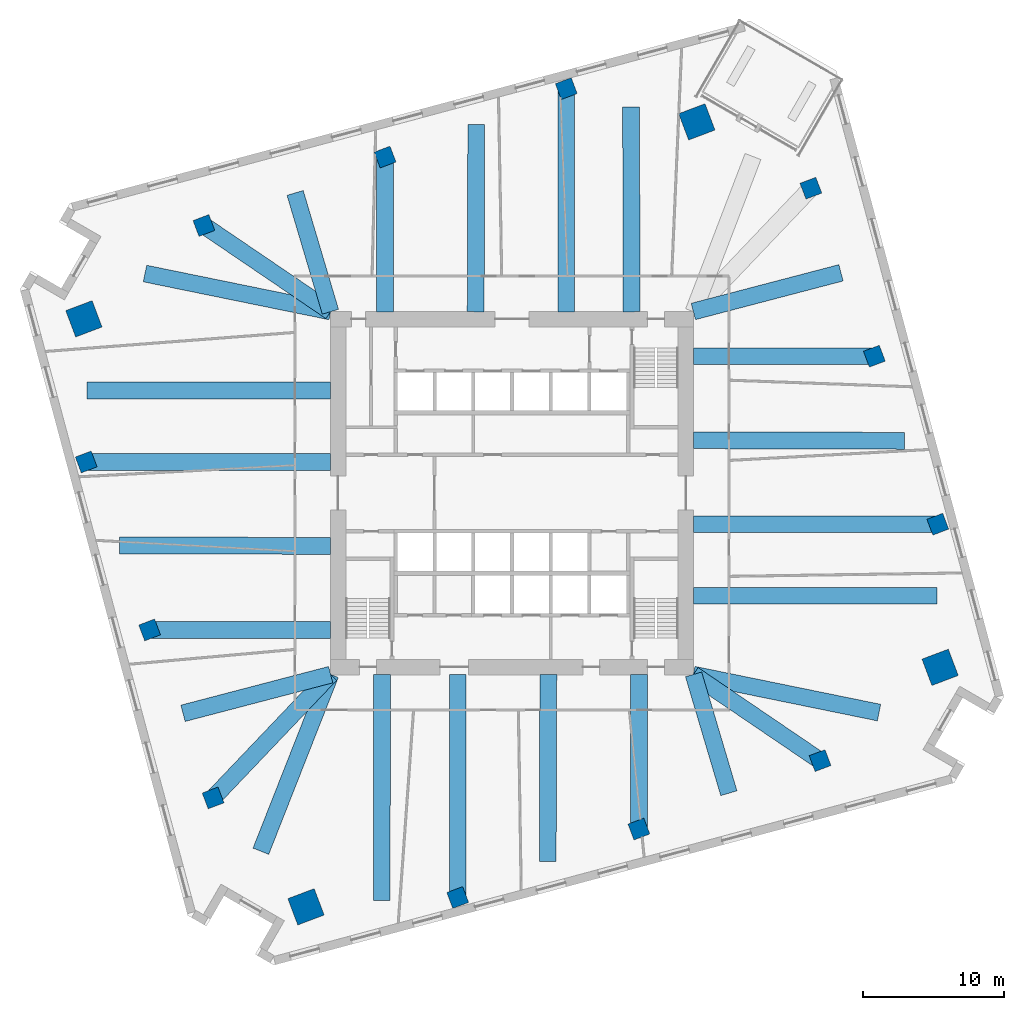
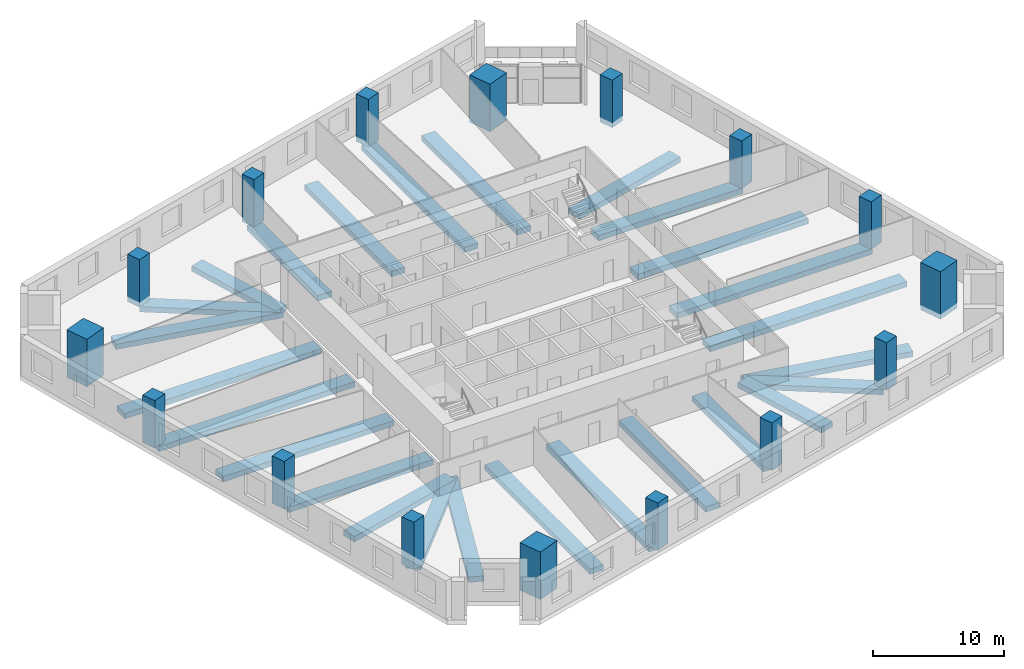
# One storey, part 1 of 11: 26 beams, 16 columns.
"""IFC4 building model written with IfcOpenShell, lengths in metres."""

import ifcopenshell
import ifcopenshell.guid

model = None  # the IFC model being written
_history = None  # IfcOwnerHistory: only IFC2X3 demands one
_inside = {}  # id of a spatial element -> (the spatial element, [elements in it])
_under = {}  # id of a project, library or spatial element -> (it, [spatial elements below it])
_declared = {}  # id of a project -> (the project, [libraries it declares])
_typed = {}  # id of a type object -> (the type object, [elements of that type])
_made_of = {}  # id of a material, layer set ... -> (it, [elements and type objects made of it])


def new_model(schema):
    """Start an empty IFC model of exactly this schema.

    Asked for "IFC4X3", IfcOpenShell would pick the latest addendum, in which some entities
    have other attributes; the version numbers below select the first issue.
    IFC2X3 requires an IfcOwnerHistory on every rooted entity: one is made here for all.
    """
    global model, _history
    if schema == "IFC4X3":
        model = ifcopenshell.file(schema_version=(4, 3, 0, 0))
    else:
        model = ifcopenshell.file(schema=schema)
    _inside.clear()
    _under.clear()
    _declared.clear()
    _typed.clear()
    _made_of.clear()
    _history = None
    if model.schema == "IFC2X3":
        org = make("IfcOrganization", Name="unknown")
        user = make(
            "IfcPersonAndOrganization",
            ThePerson=make("IfcPerson", FamilyName="unknown"),
            TheOrganization=org,
        )
        app = make(
            "IfcApplication",
            ApplicationDeveloper=org,
            Version="unknown",
            ApplicationFullName="unknown",
            ApplicationIdentifier="unknown",
        )
        _history = make(
            "IfcOwnerHistory",
            OwningUser=user,
            OwningApplication=app,
            ChangeAction="ADDED",
            CreationDate=0,
        )
    return model


def make(cls, **values):
    """One entity of the class cls with the attributes given. An attribute that is None is left unset."""
    return model.create_entity(
        cls, **{name: value for name, value in values.items() if value is not None}
    )


def rooted(cls, **values):
    """An entity with a GlobalId (a new one), such as an element, a storey or a relation."""
    return make(cls, GlobalId=ifcopenshell.guid.new(), OwnerHistory=_history, **values)


def si_unit(unit_type, name, prefix=None):
    """IfcSIUnit, for example si_unit("LENGTHUNIT", "METRE", prefix="MILLI")."""
    return make("IfcSIUnit", UnitType=unit_type, Prefix=prefix, Name=name)


def assignment(units):
    """IfcUnitAssignment: the units of a project."""
    return None if units is None else make("IfcUnitAssignment", Units=units)


def point(xyz):
    """IfcCartesianPoint."""
    return None if xyz is None else make("IfcCartesianPoint", Coordinates=xyz)


def direction(xyz):
    """IfcDirection."""
    return None if xyz is None else make("IfcDirection", DirectionRatios=xyz)


def frame(location, z_axis=None, x_axis=None):
    """IfcAxis2Placement3D, a coordinate frame: its origin and axes. An axis left out is left unset."""
    return make(
        "IfcAxis2Placement3D",
        Location=point(location),
        Axis=direction(z_axis),
        RefDirection=direction(x_axis),
    )


def frame_2d(location, x_axis=None):
    """IfcAxis2Placement2D, a coordinate frame in the plane: its origin and x axis."""
    return make(
        "IfcAxis2Placement2D", Location=point(location), RefDirection=direction(x_axis)
    )


def origin():
    """The frame at (0, 0, 0) with its axes left unset."""
    return frame((0.0, 0.0, 0.0))


def origin_2d():
    """The frame at (0, 0) in the plane with its x axis left unset."""
    return frame_2d((0.0, 0.0))


def place(relative_to, where):
    """IfcLocalPlacement: puts the frame where relative to a parent placement (None: the world)."""
    return make(
        "IfcLocalPlacement", PlacementRelTo=relative_to, RelativePlacement=where
    )


def context(
    kind, dimensions, precision=None, world=None, true_north=None, identifier=None
):
    """IfcGeometricRepresentationContext, for example the 3D "Model" context."""
    return make(
        "IfcGeometricRepresentationContext",
        ContextIdentifier=identifier,
        ContextType=kind,
        CoordinateSpaceDimension=dimensions,
        Precision=precision,
        WorldCoordinateSystem=world,
        TrueNorth=true_north,
    )


def subcontext(parent, identifier, kind, view, scale=None):
    """IfcGeometricRepresentationSubContext, for example "Body" below "Model"."""
    return make(
        "IfcGeometricRepresentationSubContext",
        ContextIdentifier=identifier,
        ContextType=kind,
        ParentContext=parent,
        TargetScale=scale,
        TargetView=view,
    )


def project(units=None, contexts=None):
    """IfcProject with its units and contexts."""
    return rooted(
        "IfcProject",
        Name="project",
        RepresentationContexts=contexts,
        UnitsInContext=assignment(units),
    )


def spatial(cls, under=None, at=None, **own):
    """A site, building, storey or space (cls), placed at a placement, below another one or the project."""
    s = rooted(cls, ObjectPlacement=at, **own)
    if under is not None:
        _under.setdefault(under.id(), (under, []))[1].append(s)
    return s


def profile(cls, at=None, kind="AREA", **sizes):
    """A parametric profile (cls). Its sizes go by their IFC names, for example OverallWidth=200.0."""
    return make(cls, ProfileType=kind, Position=at, **sizes)


def rectangle(**sizes):
    """IfcRectangleProfileDef."""
    return profile("IfcRectangleProfileDef", **sizes)


def extrude(swept, where, along, depth):
    """IfcExtrudedAreaSolid: the profile swept, set in the frame where, extruded along a direction by depth."""
    return make(
        "IfcExtrudedAreaSolid",
        SweptArea=swept,
        Position=where,
        ExtrudedDirection=direction(along),
        Depth=depth,
    )


def shape(context_of_items, identifier, shape_type, items):
    """IfcShapeRepresentation: the items that make up one representation, for example the "Body"."""
    return make(
        "IfcShapeRepresentation",
        ContextOfItems=context_of_items,
        RepresentationIdentifier=identifier,
        RepresentationType=shape_type,
        Items=items,
    )


def material(Name=None, Category=None):
    """IfcMaterial."""
    return make("IfcMaterial", Name=Name, Category=Category)


def material_profile(
    of_material, cross_section, Name=None, Category=None, Priority=None
):
    """IfcMaterialProfile: a cross section and its material."""
    return make(
        "IfcMaterialProfile",
        Name=Name,
        Material=of_material,
        Profile=cross_section,
        Priority=Priority,
        Category=Category,
    )


def profile_set(profiles, Name=None, composite=None):
    """IfcMaterialProfileSet."""
    return make(
        "IfcMaterialProfileSet",
        Name=Name,
        MaterialProfiles=profiles,
        CompositeProfile=composite,
    )


def made_of(thing, what):
    """Note that an element or type object is made of a material, layer set ...; save() writes the relation."""
    if what is not None:
        _made_of.setdefault(what.id(), (what, []))[1].append(thing)
    return thing


def type_object(cls, material=None, **own):
    """A type object (cls), such as IfcWallType, which elements share."""
    return made_of(rooted(cls, **own), material)


def element(
    cls,
    number,
    at=None,
    inside=None,
    cuts=None,
    type_object=None,
    material=None,
    context=None,
    identifier="Body",
    shape_type=None,
    held_by="IfcProductDefinitionShape",
    body=None,
    shapes=None,
    **own,
):
    """One element of the class cls, such as IfcWall. Its Tag is "e" and its number.

    at: its placement. inside: the storey or other place that contains it. cuts: it is an
    opening in that element (IfcRelVoidsElement). A single representation is given by context,
    identifier, shape_type and body (its items); several are given by shapes. held_by: the class
    of the entity that holds the representations. save() writes the other relations.
    """
    e = rooted(cls, Tag="e%d" % number, ObjectPlacement=at, **own)
    if body is not None:
        shapes = [shape(context, identifier, shape_type, body)]
    if shapes is not None:
        e.Representation = make(held_by, Representations=shapes)
    if inside is not None:
        _inside.setdefault(inside.id(), (inside, []))[1].append(e)
    if cuts is not None:
        rooted(
            "IfcRelVoidsElement", RelatingBuildingElement=cuts, RelatedOpeningElement=e
        )
    if type_object is not None:
        _typed.setdefault(type_object.id(), (type_object, []))[1].append(e)
    return made_of(e, material)


def aggregate(whole, parts):
    """IfcRelAggregates: a whole, such as a stair, and the parts it consists of."""
    return rooted("IfcRelAggregates", RelatingObject=whole, RelatedObjects=parts)


def save(model, path):
    """Write the relations noted so far, then the file.

    IfcRelAggregates (storeys below a building ...), IfcRelContainedInSpatialStructure (elements
    in a storey), IfcRelDefinesByType, IfcRelAssociatesMaterial and IfcRelDeclares: one each for
    every whole, place, type object, material and project.
    """
    for whole, parts in _under.values():
        aggregate(whole, parts)
    for where, things in _inside.values():
        rooted(
            "IfcRelContainedInSpatialStructure",
            RelatedElements=things,
            RelatingStructure=where,
        )
    for kind, things in _typed.values():
        rooted("IfcRelDefinesByType", RelatedObjects=things, RelatingType=kind)
    for what, things in _made_of.values():
        rooted("IfcRelAssociatesMaterial", RelatedObjects=things, RelatingMaterial=what)
    for by, libraries in _declared.values():
        rooted("IfcRelDeclares", RelatingContext=by, RelatedDefinitions=libraries)
    model.write(path)


model = new_model("IFC4")

# Units and contexts
model_context = context("Model", 3, precision=1e-05, world=origin(), true_north=direction((0.0, 1.0)))
body_context = subcontext(model_context, "Body", "Model", "MODEL_VIEW")
ifc_project = project(units=[si_unit("LENGTHUNIT", "METRE"), si_unit("AREAUNIT", "SQUARE_METRE"), si_unit("VOLUMEUNIT", "CUBIC_METRE"), si_unit("PLANEANGLEUNIT", "RADIAN"), si_unit("MASSUNIT", "GRAM", prefix="KILO")], contexts=[model_context])

# Site, building, storey
site_placement = place(None, origin())
site = spatial("IfcSite", under=ifc_project, at=site_placement, CompositionType="ELEMENT")
building_placement = place(site_placement, origin())
building = spatial("IfcBuilding", under=site, at=building_placement, Name="Dilmun Exchange Tower", CompositionType="ELEMENT")
storey_placement = place(building_placement, frame((0.0, 0.0, 82.10009765625)))
storey = spatial("IfcBuildingStorey", under=building, at=storey_placement, Name="L18", CompositionType="ELEMENT", Elevation=82.10009765625)

# Columns
ifc_material_1 = material(Name="Concrete C70/85", Category="concrete")
ifc_material_profile_1 = material_profile(ifc_material_1, rectangle(XDim=2.0, YDim=2.0, at=origin_2d()), Name="2000 x 2000")
ifc_profile_set_1 = profile_set([ifc_material_profile_1], Name="Concrete C70/85")
column_type_1 = type_object("IfcColumnType", Name="RC mega column 2000 x 2000 C70/85", PredefinedType="COLUMN", material=ifc_profile_set_1)
for number, where, z_axis, x_axis, name in (
    (1, (13.1220703125, 26.35400390625, -0.420166015625), (0.0, 0.0, 1.0), (0.935491525991, 0.353349125935, 0.0), "Mega column M1"),
    (2, (-30.39404296875, 12.37109375, -0.420166015625), (0.0, 0.0, 1.0), (0.935491525991, 0.353349125935, 0.0), "Mega column M2"),
    (3, (-14.6259765625, -29.3759765625, -0.420166015625), (0.0, 0.0, 1.0), (0.935491525991, 0.353349125935, 0.0), "Mega column M3"),
    (4, (30.39404296875, -12.37109375, -0.420166015625), (0.0, 0.0, 1.0), (0.935491525991, 0.353349125935, 0.0), "Mega column M4"),
):
    element("IfcColumn", number, at=place(storey_placement, frame(where, z_axis=z_axis, x_axis=x_axis)), inside=storey, type_object=column_type_1, Name=name, PredefinedType="COLUMN", context=body_context, shape_type="SweptSolid", body=[
        extrude(rectangle(XDim=2.0, YDim=2.0, at=origin_2d()), origin(), (0.0, 0.0, 1.0), 4.420166015625),
    ])
ifc_material_profile_2 = material_profile(ifc_material_1, rectangle(XDim=1.199951171875, YDim=1.199951171875, at=origin_2d()), Name="1200 x 1200")
ifc_profile_set_2 = profile_set([ifc_material_profile_2], Name="Concrete C70/85")
column_type_2 = type_object("IfcColumnType", Name="RC ring column 1200 x 1200 C70/85", PredefinedType="COLUMN", material=ifc_profile_set_2)
for number, where, z_axis, x_axis, name in (
    (5, (3.85302734375, 28.714111328125, -0.420166015625), (0.0, 0.0, 1.0), (0.935491525991, 0.353349125935, 0.0), "Ring column R01"),
    (6, (-9.010009765625, 23.85498046875, -0.420166015625), (0.0, 0.0, 1.0), (0.935491525991, 0.353349125935, 0.0), "Ring column R02"),
    (7, (-21.873046875, 18.99609375, -0.420166015625), (0.0, 0.0, 1.0), (0.935491525991, 0.353349125935, 0.0), "Ring column R03"),
    (8, (-30.23095703125, 2.2099609375, -0.420166015625), (0.0, 0.0, 1.0), (0.935491525991, 0.353349125935, 0.0), "Ring column R04"),
    (9, (-25.72607421875, -9.717041015625, -0.420166015625), (0.0, 0.0, 1.0), (0.935491525991, 0.353349125935, 0.0), "Ring column R05"),
    (10, (-21.220947265625, -21.64501953125, -0.420166015625), (0.0, 0.0, 1.0), (0.935491525991, 0.353349125935, 0.0), "Ring column R06"),
    (11, (-3.85302734375, -28.714111328125, -0.420166015625), (0.0, 0.0, 1.0), (0.935491525991, 0.353349125935, 0.0), "Ring column R07"),
    (12, (9.010009765625, -23.85498046875, -0.420166015625), (0.0, 0.0, 1.0), (0.935491525991, 0.353349125935, 0.0), "Ring column R08"),
    (13, (21.873046875, -18.99609375, -0.420166015625), (0.0, 0.0, 1.0), (0.935491525991, 0.353349125935, 0.0), "Ring column R09"),
    (14, (30.23095703125, -2.2099609375, -0.420166015625), (0.0, 0.0, 1.0), (0.935491525991, 0.353349125935, 0.0), "Ring column R10"),
    (15, (25.72607421875, 9.717041015625, -0.420166015625), (0.0, 0.0, 1.0), (0.935491525991, 0.353349125935, 0.0), "Ring column R11"),
    (16, (21.220947265625, 21.64501953125, -0.420166015625), (0.0, 0.0, 1.0), (0.935491525991, 0.353349125935, 0.0), "Ring column R12"),
):
    element("IfcColumn", number, at=place(storey_placement, frame(where, z_axis=z_axis, x_axis=x_axis)), inside=storey, type_object=column_type_2, Name=name, PredefinedType="COLUMN", context=body_context, shape_type="SweptSolid", body=[
        extrude(rectangle(XDim=1.199951171875, YDim=1.199951171875, at=origin_2d()), origin(), (0.0, 0.0, 1.0), 4.420166015625),
    ])

# Beams
ifc_material_2 = material(Name="Concrete C40/50", Category="concrete")
ifc_material_profile_3 = material_profile(ifc_material_2, rectangle(XDim=1.199951171875, YDim=0.5, at=origin_2d()), Name="1200 x 500")
ifc_profile_set_3 = profile_set([ifc_material_profile_3], Name="Concrete C40/50")
beam_type = type_object("IfcBeamType", Name="RC band beam 1200 x 500 C40/50", PredefinedType="BEAM", material=ifc_profile_set_3)
beam_1_placement = place(storey_placement, frame((3.85302734375, 28.590087890625, -0.77001953125), z_axis=(0.0, -1.0, 0.0), x_axis=(1.0, 0.0, 0.0)))
element("IfcBeam", 17, at=beam_1_placement, inside=storey, type_object=beam_type, Name="Band beam 1", PredefinedType="BEAM", context=body_context, shape_type="SweptSolid", body=[
    extrude(rectangle(XDim=1.199951171875, YDim=0.5, at=origin_2d()), origin(), (0.0, 0.0, 1.0), 15.717041015625),
])
beam_2_placement = place(storey_placement, frame((-9.010009765625, 23.73095703125, -0.77001953125), z_axis=(0.0, -1.0, 0.0), x_axis=(1.0, 0.0, 0.0)))
element("IfcBeam", 18, at=beam_2_placement, inside=storey, type_object=beam_type, Name="Band beam 2", PredefinedType="BEAM", context=body_context, shape_type="SweptSolid", body=[
    extrude(rectangle(XDim=1.199951171875, YDim=0.5, at=origin_2d()), origin(), (0.0, 0.0, 1.0), 10.85791015625),
])
beam_3_placement = place(storey_placement, frame((-21.7705078125, 18.92626953125, -0.77001953125), z_axis=(0.827169290209, -0.561952814153, 0.0), x_axis=(0.561952814153, 0.827169290209, 0.0)))
element("IfcBeam", 19, at=beam_3_placement, inside=storey, type_object=beam_type, Name="Band beam 3", PredefinedType="BEAM", context=body_context, shape_type="SweptSolid", body=[
    extrude(rectangle(XDim=1.199951171875, YDim=0.5, at=origin_2d()), origin(), (0.0, 0.0, 1.0), 10.7509765625),
])
beam_4_placement = place(storey_placement, frame((-30.10693359375, 2.2099609375, -0.77001953125), z_axis=(1.0, 0.0, 0.0), x_axis=(0.0, 1.0, 0.0)))
element("IfcBeam", 20, at=beam_4_placement, inside=storey, type_object=beam_type, Name="Band beam 4", PredefinedType="BEAM", context=body_context, shape_type="SweptSolid", body=[
    extrude(rectangle(XDim=1.199951171875, YDim=0.5, at=origin_2d()), origin(), (0.0, 0.0, 1.0), 17.23388671875),
])
beam_5_placement = place(storey_placement, frame((-25.60205078125, -9.717041015625, -0.77001953125), z_axis=(1.0, 0.0, 0.0), x_axis=(0.0, 1.0, 0.0)))
element("IfcBeam", 21, at=beam_5_placement, inside=storey, type_object=beam_type, Name="Band beam 5", PredefinedType="BEAM", context=body_context, shape_type="SweptSolid", body=[
    extrude(rectangle(XDim=1.199951171875, YDim=0.5, at=origin_2d()), origin(), (0.0, 0.0, 1.0), 12.72900390625),
])
beam_6_placement = place(storey_placement, frame((-21.135498046875, -21.55517578125, -0.77001953125), z_axis=(0.689323667633, 0.724453505231, 0.0), x_axis=(-0.724453505231, 0.689323667633, 0.0)))
element("IfcBeam", 22, at=beam_6_placement, inside=storey, type_object=beam_type, Name="Band beam 6", PredefinedType="BEAM", context=body_context, shape_type="SweptSolid", body=[
    extrude(rectangle(XDim=1.199951171875, YDim=0.5, at=origin_2d()), origin(), (0.0, 0.0, 1.0), 11.974365234375),
])
beam_7_placement = place(storey_placement, frame((-3.85302734375, -28.590087890625, -0.77001953125), z_axis=(0.0, 1.0, 0.0), x_axis=(-1.0, 0.0, 0.0)))
element("IfcBeam", 23, at=beam_7_placement, inside=storey, type_object=beam_type, Name="Band beam 7", PredefinedType="BEAM", context=body_context, shape_type="SweptSolid", body=[
    extrude(rectangle(XDim=1.199951171875, YDim=0.5, at=origin_2d()), origin(), (0.0, 0.0, 1.0), 15.717041015625),
])
beam_8_placement = place(storey_placement, frame((9.010009765625, -23.73095703125, -0.77001953125), z_axis=(0.0, 1.0, 0.0), x_axis=(-1.0, 0.0, 0.0)))
element("IfcBeam", 24, at=beam_8_placement, inside=storey, type_object=beam_type, Name="Band beam 8", PredefinedType="BEAM", context=body_context, shape_type="SweptSolid", body=[
    extrude(rectangle(XDim=1.199951171875, YDim=0.5, at=origin_2d()), origin(), (0.0, 0.0, 1.0), 10.85791015625),
])
beam_9_placement = place(storey_placement, frame((21.7705078125, -18.92626953125, -0.77001953125), z_axis=(-0.827169290209, 0.561952814153, 0.0), x_axis=(-0.561952814153, -0.827169290209, 0.0)))
element("IfcBeam", 25, at=beam_9_placement, inside=storey, type_object=beam_type, Name="Band beam 9", PredefinedType="BEAM", context=body_context, shape_type="SweptSolid", body=[
    extrude(rectangle(XDim=1.199951171875, YDim=0.5, at=origin_2d()), origin(), (0.0, 0.0, 1.0), 10.7509765625),
])
beam_10_placement = place(storey_placement, frame((30.10693359375, -2.2099609375, -0.77001953125), z_axis=(-1.0, 0.0, 0.0), x_axis=(0.0, -1.0, 0.0)))
element("IfcBeam", 26, at=beam_10_placement, inside=storey, type_object=beam_type, Name="Band beam 10", PredefinedType="BEAM", context=body_context, shape_type="SweptSolid", body=[
    extrude(rectangle(XDim=1.199951171875, YDim=0.5, at=origin_2d()), origin(), (0.0, 0.0, 1.0), 17.23388671875),
])
beam_11_placement = place(storey_placement, frame((25.60205078125, 9.717041015625, -0.77001953125), z_axis=(-1.0, 0.0, 0.0), x_axis=(0.0, -1.0, 0.0)))
element("IfcBeam", 27, at=beam_11_placement, inside=storey, type_object=beam_type, Name="Band beam 11", PredefinedType="BEAM", context=body_context, shape_type="SweptSolid", body=[
    extrude(rectangle(XDim=1.199951171875, YDim=0.5, at=origin_2d()), origin(), (0.0, 0.0, 1.0), 12.72900390625),
])
beam_12_placement = place(storey_placement, frame((8.456787109375, 27.413818359375, -0.77001953125), z_axis=(0.002115544553, -0.999997762233, 0.0), x_axis=(0.999997762233, 0.002115544553, 0.0)))
element("IfcBeam", 28, at=beam_12_placement, inside=storey, type_object=beam_type, Name="Band beam 13", PredefinedType="BEAM", context=body_context, shape_type="SweptSolid", body=[
    extrude(rectangle(XDim=1.199951171875, YDim=0.5, at=origin_2d()), origin(), (0.0, 0.0, 1.0), 14.540771484375),
])
beam_13_placement = place(storey_placement, frame((-2.53466796875, 26.16845703125, -0.77001953125), z_axis=(-0.003305281442, -0.999994537542, 0.0), x_axis=(0.999994537542, -0.003305281442, 0.0)))
element("IfcBeam", 29, at=beam_13_placement, inside=storey, type_object=beam_type, Name="Band beam 14", PredefinedType="BEAM", context=body_context, shape_type="SweptSolid", body=[
    extrude(rectangle(XDim=1.199951171875, YDim=0.5, at=origin_2d()), origin(), (0.0, 0.0, 1.0), 13.29541015625),
])
beam_14_placement = place(storey_placement, frame((-15.397705078125, 21.3095703125, -0.77001953125), z_axis=(0.284709835538, -0.958613743667, 0.0), x_axis=(0.958613743667, 0.284709835538, 0.0)))
element("IfcBeam", 30, at=beam_14_placement, inside=storey, type_object=beam_type, Name="Band beam 15", PredefinedType="BEAM", context=body_context, shape_type="SweptSolid", body=[
    extrude(rectangle(XDim=1.199951171875, YDim=0.5, at=origin_2d()), origin(), (0.0, 0.0, 1.0), 8.7998046875),
])
beam_15_placement = place(storey_placement, frame((-26.057373046875, 15.585693359375, -0.77001953125), z_axis=(0.979792014231, -0.20001902122, 0.0), x_axis=(0.20001902122, 0.979792014231, 0.0)))
element("IfcBeam", 31, at=beam_15_placement, inside=storey, type_object=beam_type, Name="Band beam 16", PredefinedType="BEAM", context=body_context, shape_type="SweptSolid", body=[
    extrude(rectangle(XDim=1.199951171875, YDim=0.5, at=origin_2d()), origin(), (0.0, 0.0, 1.0), 13.455810546875),
])
beam_16_placement = place(storey_placement, frame((-30.1884765625, 7.29248046875, -0.77001953125), z_axis=(0.999999993638, -0.000112796796, 0.0), x_axis=(0.000112796796, 0.999999993638, 0.0)))
element("IfcBeam", 32, at=beam_16_placement, inside=storey, type_object=beam_type, Name="Band beam 17", PredefinedType="BEAM", context=body_context, shape_type="SweptSolid", body=[
    extrude(rectangle(XDim=1.199951171875, YDim=0.5, at=origin_2d()), origin(), (0.0, 0.0, 1.0), 17.3154296875),
])
beam_17_placement = place(storey_placement, frame((-27.862548828125, -3.709716796875, -0.77001953125), z_axis=(0.999995750097, -0.002915439505, 0.0), x_axis=(0.002915439505, 0.999995750097, 0.0)))
element("IfcBeam", 33, at=beam_17_placement, inside=storey, type_object=beam_type, Name="Band beam 18", PredefinedType="BEAM", context=body_context, shape_type="SweptSolid", body=[
    extrude(rectangle(XDim=1.199951171875, YDim=0.5, at=origin_2d()), origin(), (0.0, 0.0, 1.0), 14.989501953125),
])
beam_18_placement = place(storey_placement, frame((-23.357421875, -15.63720703125, -0.77001953125), z_axis=(0.967407841539, 0.253223356207, 0.0), x_axis=(-0.253223356207, 0.967407841539, 0.0)))
element("IfcBeam", 34, at=beam_18_placement, inside=storey, type_object=beam_type, Name="Band beam 19", PredefinedType="BEAM", context=body_context, shape_type="SweptSolid", body=[
    extrude(rectangle(XDim=1.199951171875, YDim=0.5, at=origin_2d()), origin(), (0.0, 0.0, 1.0), 10.8369140625),
])
beam_19_placement = place(storey_placement, frame((-17.8291015625, -25.429931640625, -0.77001953125), z_axis=(0.366096307993, 0.930576967947, 0.0), x_axis=(-0.930576967947, 0.366096307993, 0.0)))
element("IfcBeam", 35, at=beam_19_placement, inside=storey, type_object=beam_type, Name="Band beam 20", PredefinedType="BEAM", context=body_context, shape_type="SweptSolid", body=[
    extrude(rectangle(XDim=1.199951171875, YDim=0.5, at=origin_2d()), origin(), (0.0, 0.0, 1.0), 13.491455078125),
])
beam_20_placement = place(storey_placement, frame((-9.2470703125, -28.921142578125, -0.77001953125), z_axis=(0.000471604773, 0.999999888794, 0.0), x_axis=(-0.999999888794, 0.000471604773, 0.0)))
element("IfcBeam", 36, at=beam_20_placement, inside=storey, type_object=beam_type, Name="Band beam 21", PredefinedType="BEAM", context=body_context, shape_type="SweptSolid", body=[
    extrude(rectangle(XDim=1.199951171875, YDim=0.5, at=origin_2d()), origin(), (0.0, 0.0, 1.0), 16.048095703125),
])
beam_21_placement = place(storey_placement, frame((2.53466796875, -26.16845703125, -0.77001953125), z_axis=(0.003305281442, 0.999994537542, 0.0), x_axis=(-0.999994537542, 0.003305281442, 0.0)))
element("IfcBeam", 37, at=beam_21_placement, inside=storey, type_object=beam_type, Name="Band beam 22", PredefinedType="BEAM", context=body_context, shape_type="SweptSolid", body=[
    extrude(rectangle(XDim=1.199951171875, YDim=0.5, at=origin_2d()), origin(), (0.0, 0.0, 1.0), 13.29541015625),
])
beam_22_placement = place(storey_placement, frame((15.397705078125, -21.3095703125, -0.77001953125), z_axis=(-0.284709835538, 0.958613743667, 0.0), x_axis=(-0.958613743667, -0.284709835538, 0.0)))
element("IfcBeam", 38, at=beam_22_placement, inside=storey, type_object=beam_type, Name="Band beam 23", PredefinedType="BEAM", context=body_context, shape_type="SweptSolid", body=[
    extrude(rectangle(XDim=1.199951171875, YDim=0.5, at=origin_2d()), origin(), (0.0, 0.0, 1.0), 8.7998046875),
])
beam_23_placement = place(storey_placement, frame((26.057373046875, -15.585693359375, -0.77001953125), z_axis=(-0.979792014231, 0.20001902122, 0.0), x_axis=(-0.20001902122, -0.979792014231, 0.0)))
element("IfcBeam", 39, at=beam_23_placement, inside=storey, type_object=beam_type, Name="Band beam 24", PredefinedType="BEAM", context=body_context, shape_type="SweptSolid", body=[
    extrude(rectangle(XDim=1.199951171875, YDim=0.5, at=origin_2d()), origin(), (0.0, 0.0, 1.0), 13.455810546875),
])
beam_24_placement = place(storey_placement, frame((30.1884765625, -7.29248046875, -0.77001953125), z_axis=(-0.999999993638, 0.000112796796, 0.0), x_axis=(-0.000112796796, -0.999999993638, 0.0)))
element("IfcBeam", 40, at=beam_24_placement, inside=storey, type_object=beam_type, Name="Band beam 25", PredefinedType="BEAM", context=body_context, shape_type="SweptSolid", body=[
    extrude(rectangle(XDim=1.199951171875, YDim=0.5, at=origin_2d()), origin(), (0.0, 0.0, 1.0), 17.3154296875),
])
beam_25_placement = place(storey_placement, frame((27.862548828125, 3.709716796875, -0.77001953125), z_axis=(-0.999995750097, 0.002915439505, 0.0), x_axis=(-0.002915439505, -0.999995750097, 0.0)))
element("IfcBeam", 41, at=beam_25_placement, inside=storey, type_object=beam_type, Name="Band beam 26", PredefinedType="BEAM", context=body_context, shape_type="SweptSolid", body=[
    extrude(rectangle(XDim=1.199951171875, YDim=0.5, at=origin_2d()), origin(), (0.0, 0.0, 1.0), 14.989501953125),
])
beam_26_placement = place(storey_placement, frame((23.357421875, 15.63720703125, -0.77001953125), z_axis=(-0.967407841539, -0.253223356207, 0.0), x_axis=(0.253223356207, -0.967407841539, 0.0)))
element("IfcBeam", 42, at=beam_26_placement, inside=storey, type_object=beam_type, Name="Band beam 27", PredefinedType="BEAM", context=body_context, shape_type="SweptSolid", body=[
    extrude(rectangle(XDim=1.199951171875, YDim=0.5, at=origin_2d()), origin(), (0.0, 0.0, 1.0), 10.8369140625),
])

save(model, "model.ifc")
